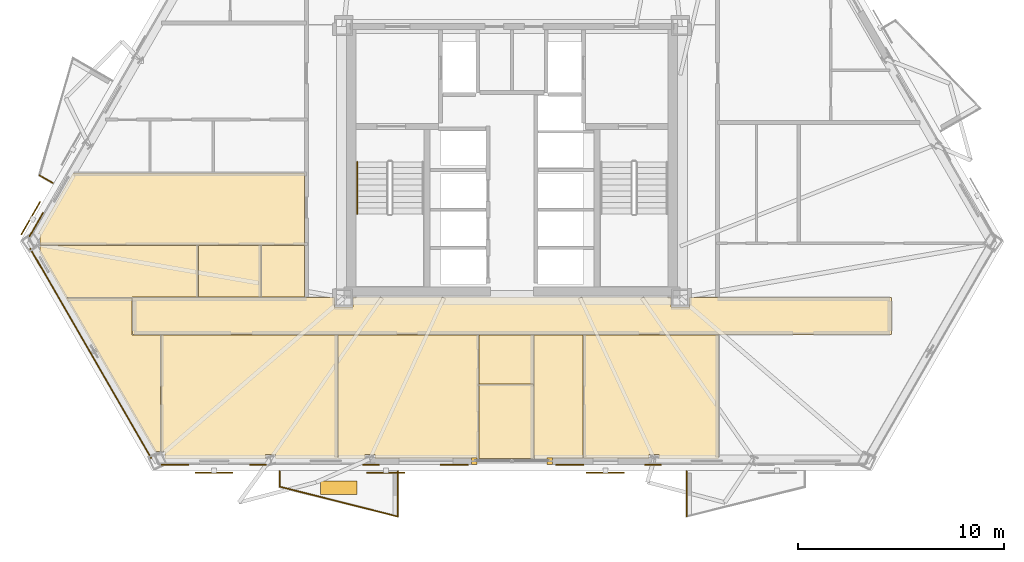
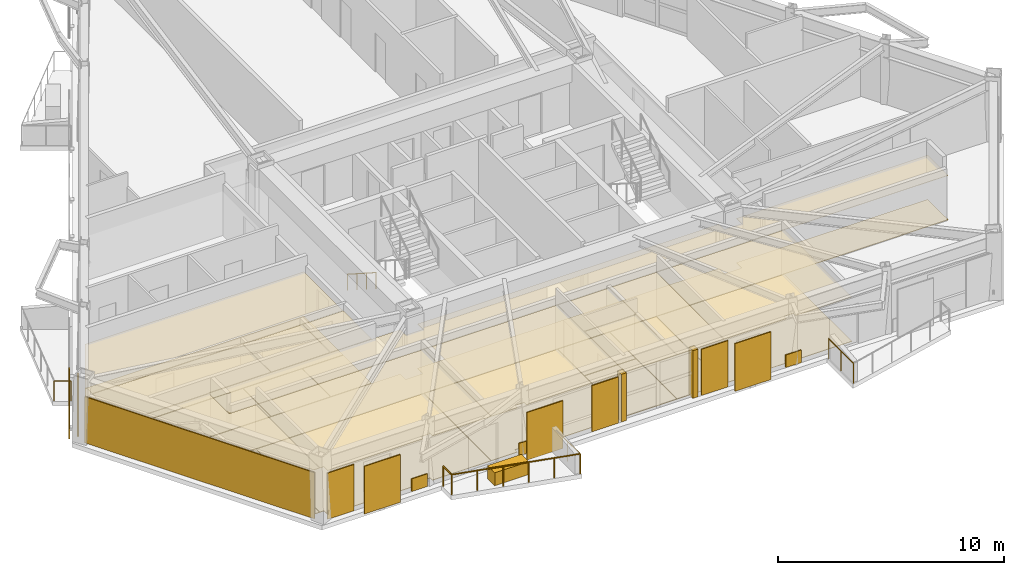
# One storey, part 12 of 15: 35 coverings, 6 railings, 4 shading devices.
"""IFC4 building model written with IfcOpenShell, lengths in metres."""

from ifc_helpers import new_model, si_unit, direction, frame, origin, origin_2d, place, context, subcontext, project, spatial, polyline, rectangle, circle, outline, extrude, material, layer, layer_set, type_object, element, save


model = new_model("IFC4")

# Units and contexts
model_context = context("Model", 3, precision=1e-05, world=origin(), true_north=direction((0.0, 1.0)))
body_context = subcontext(model_context, "Body", "Model", "MODEL_VIEW")
ifc_project = project(units=[si_unit("LENGTHUNIT", "METRE"), si_unit("AREAUNIT", "SQUARE_METRE"), si_unit("VOLUMEUNIT", "CUBIC_METRE"), si_unit("PLANEANGLEUNIT", "RADIAN"), si_unit("MASSUNIT", "GRAM", prefix="KILO")], contexts=[model_context])

# Site, building, storey
site_placement = place(None, origin())
site = spatial("IfcSite", under=ifc_project, at=site_placement, CompositionType="ELEMENT")
building_placement = place(site_placement, origin())
building = spatial("IfcBuilding", under=site, at=building_placement, Name="Oramaril Tower", CompositionType="ELEMENT")
storey_placement = place(building_placement, frame((0.0, 0.0, 93.300048828125)))
storey = spatial("IfcBuildingStorey", under=building, at=storey_placement, Name="L24", CompositionType="ELEMENT", Elevation=93.300048828125)

# Coverings
ifc_material_1 = material(Name="Mineral Fibre Acoustic Ceiling")
ifc_layer_1 = layer(ifc_material_1, 0.02001953125)
ifc_layer_set_1 = layer_set([ifc_layer_1], Name="CVT-CEIL")
covering_type_1 = type_object("IfcCoveringType", Name="CVT-CEIL", PredefinedType="CEILING", material=ifc_layer_set_1)
covering_1_placement = place(storey_placement, frame((0.0, 0.0, 2.39990234375)))
element("IfcCovering", 1, at=covering_1_placement, inside=storey, type_object=covering_type_1, Name="L24 Acoustic Suspended Ceiling 1", PredefinedType="CEILING", context=body_context, shape_type="SweptSolid", body=[
    extrude(outline(polyline([(28.905029296875, 10.554931640625), (29.794921875, 10.554931640625), (29.794921875, 11.030029296875), (45.205078125, 11.030029296875), (45.205078125, 10.554931640625), (46.094970703125, 10.554931640625), (46.094970703125, 11.030029296875), (55.8798828125, 11.030029296875), (55.8798828125, 9.219970703125), (19.1201171875, 9.219970703125), (19.1201171875, 11.030029296875), (28.905029296875, 11.030029296875), (28.905029296875, 10.554931640625)])), origin(), (0.0, 0.0, 1.0), 0.02001953125),
])
covering_2_placement = place(storey_placement, frame((0.0, 0.0, 2.39990234375)))
element("IfcCovering", 2, at=covering_2_placement, inside=storey, type_object=covering_type_1, Name="L24 Acoustic Suspended Ceiling 5", PredefinedType="CEILING", context=body_context, shape_type="SweptSolid", body=[
    extrude(outline(polyline([(26.0419921875, 3.421630859375), (25.568359375, 3.421630859375), (25.568359375, 3.218017578125), (20.69189453125, 3.218017578125), (20.69189453125, 3.568603515625), (20.487548828125, 3.568603515625), (20.487548828125, 9.199951171875), (29.0419921875, 9.199951171875), (29.0419921875, 3.218017578125), (26.0419921875, 3.218017578125), (26.0419921875, 3.421630859375)])), origin(), (0.0, 0.0, 1.0), 0.02001953125),
])
covering_3_placement = place(storey_placement, frame((0.0, 0.0, 2.39990234375)))
element("IfcCovering", 3, at=covering_3_placement, inside=storey, type_object=covering_type_1, Name="L24 Acoustic Suspended Ceiling 6", PredefinedType="CEILING", context=body_context, shape_type="SweptSolid", body=[
    extrude(outline(polyline([(20.181884765625, 3.568603515625), (15.89599609375, 10.991943359375), (19.10009765625, 10.991943359375), (19.10009765625, 9.219970703125), (19.10009765625, 9.218017578125), (19.100341796875, 9.216064453125), (19.100830078125, 9.214111328125), (19.1015625, 9.21240234375), (19.102294921875, 9.210693359375), (19.103515625, 9.208984375), (19.1044921875, 9.207275390625), (19.10595703125, 9.205810546875), (19.107421875, 9.20458984375), (19.10888671875, 9.203369140625), (19.110595703125, 9.202392578125), (19.1123046875, 9.201416015625), (19.1142578125, 9.200927734375), (19.1162109375, 9.200439453125), (19.117919921875, 9.2001953125), (19.1201171875, 9.199951171875), (20.467529296875, 9.199951171875), (20.467529296875, 3.568603515625), (20.181884765625, 3.568603515625)])), origin(), (0.0, 0.0, 1.0), 0.02001953125),
])
covering_4_placement = place(storey_placement, frame((0.0, 0.0, 2.39990234375)))
element("IfcCovering", 4, at=covering_4_placement, inside=storey, type_object=covering_type_1, Name="L24 Acoustic Suspended Ceiling 7", PredefinedType="CEILING", context=body_context, shape_type="SweptSolid", body=[
    extrude(outline(polyline([(35.882080078125, 3.218017578125), (30.851806640625, 3.218017578125), (30.851806640625, 3.421630859375), (30.3896484375, 3.421630859375), (30.3896484375, 3.218017578125), (29.06201171875, 3.218017578125), (29.06201171875, 9.199951171875), (35.882080078125, 9.199951171875), (35.882080078125, 3.218017578125)])), origin(), (0.0, 0.0, 1.0), 0.02001953125),
])
covering_5_placement = place(storey_placement, frame((0.0, 0.0, 2.39990234375)))
element("IfcCovering", 5, at=covering_5_placement, inside=storey, type_object=covering_type_1, Name="L24 Acoustic Suspended Ceiling 8", PredefinedType="CEILING", context=body_context, shape_type="SweptSolid", body=[
    extrude(outline(polyline([(38.5419921875, 6.822021484375), (38.5419921875, 3.218017578125), (35.902099609375, 3.218017578125), (35.902099609375, 6.822021484375), (38.5419921875, 6.822021484375)])), origin(), (0.0, 0.0, 1.0), 0.02001953125),
])
covering_6_placement = place(storey_placement, frame((0.0, 0.0, 2.39990234375)))
element("IfcCovering", 6, at=covering_6_placement, inside=storey, type_object=covering_type_1, Name="L24 Acoustic Suspended Ceiling 9", PredefinedType="CEILING", context=body_context, shape_type="SweptSolid", body=[
    extrude(outline(polyline([(38.5419921875, 6.842041015625), (35.902099609375, 6.842041015625), (35.902099609375, 9.199951171875), (38.5419921875, 9.199951171875), (38.5419921875, 6.842041015625)])), origin(), (0.0, 0.0, 1.0), 0.02001953125),
])
covering_7_placement = place(storey_placement, frame((0.0, 0.0, 2.39990234375)))
element("IfcCovering", 7, at=covering_7_placement, inside=storey, type_object=covering_type_1, Name="L24 Acoustic Suspended Ceiling 10", PredefinedType="CEILING", context=body_context, shape_type="SweptSolid", body=[
    extrude(outline(polyline([(44.6103515625, 3.421630859375), (44.148193359375, 3.421630859375), (44.148193359375, 3.218017578125), (40.964111328125, 3.218017578125), (40.964111328125, 9.199951171875), (47.491943359375, 9.199951171875), (47.491943359375, 3.218017578125), (44.6103515625, 3.218017578125), (44.6103515625, 3.421630859375)])), origin(), (0.0, 0.0, 1.0), 0.02001953125),
])
covering_8_placement = place(storey_placement, frame((0.0, 0.0, 2.39990234375)))
element("IfcCovering", 8, at=covering_8_placement, inside=storey, type_object=covering_type_1, Name="L24 Acoustic Suspended Ceiling 11", PredefinedType="CEILING", context=body_context, shape_type="SweptSolid", body=[
    extrude(outline(polyline([(38.56201171875, 3.218017578125), (38.56201171875, 6.822021484375), (38.56201171875, 6.823974609375), (38.5615234375, 6.825927734375), (38.56103515625, 6.827880859375), (38.560546875, 6.82958984375), (38.5595703125, 6.831298828125), (38.559326171875, 6.83203125), (38.5595703125, 6.83251953125), (38.560546875, 6.834228515625), (38.56103515625, 6.836181640625), (38.5615234375, 6.838134765625), (38.56201171875, 6.840087890625), (38.56201171875, 6.842041015625), (38.56201171875, 9.199951171875), (40.944091796875, 9.199951171875), (40.944091796875, 3.218017578125), (38.56201171875, 3.218017578125)])), origin(), (0.0, 0.0, 1.0), 0.02001953125),
])
covering_9_placement = place(storey_placement, frame((0.0, 0.0, 2.39990234375)))
element("IfcCovering", 9, at=covering_9_placement, inside=storey, type_object=covering_type_1, Name="L24 Acoustic Suspended Ceiling 12", PredefinedType="CEILING", context=body_context, shape_type="SweptSolid", body=[
    extrude(outline(polyline([(14.623779296875, 13.570068359375), (14.623779296875, 14.08837890625), (14.535400390625, 14.08837890625), (16.24072265625, 17.0419921875), (27.449951171875, 17.0419921875), (27.449951171875, 13.570068359375), (14.623779296875, 13.570068359375)])), origin(), (0.0, 0.0, 1.0), 0.02001953125),
])
covering_10_placement = place(storey_placement, frame((0.0, 0.0, 2.39990234375)))
element("IfcCovering", 10, at=covering_10_placement, inside=storey, type_object=covering_type_1, Name="L24 Acoustic Suspended Ceiling 13", PredefinedType="CEILING", context=body_context, shape_type="SweptSolid", body=[
    extrude(outline(polyline([(14.623779296875, 13.26904296875), (14.623779296875, 13.550048828125), (22.295166015625, 13.550048828125), (22.295166015625, 11.050048828125), (19.1201171875, 11.050048828125), (19.117919921875, 11.0498046875), (19.1162109375, 11.049560546875), (19.1142578125, 11.049072265625), (19.1123046875, 11.048583984375), (19.110595703125, 11.047607421875), (19.10888671875, 11.046630859375), (19.107421875, 11.04541015625), (19.10595703125, 11.044189453125), (19.1044921875, 11.042724609375), (19.103515625, 11.041015625), (19.102294921875, 11.039306640625), (19.1015625, 11.03759765625), (19.100830078125, 11.035888671875), (19.100341796875, 11.033935546875), (19.10009765625, 11.031982421875), (19.10009765625, 11.030029296875), (19.10009765625, 11.011962890625), (15.89599609375, 11.011962890625), (15.893798828125, 11.011962890625), (15.89208984375, 11.01171875), (15.889892578125, 11.010986328125), (15.88818359375, 11.010498046875), (15.886474609375, 11.009521484375), (15.885986328125, 11.00927734375), (14.581298828125, 13.26904296875), (14.623779296875, 13.26904296875)])), origin(), (0.0, 0.0, 1.0), 0.02001953125),
])
covering_11_placement = place(storey_placement, frame((0.0, 0.0, 2.39990234375)))
element("IfcCovering", 11, at=covering_11_placement, inside=storey, type_object=covering_type_1, Name="L24 Acoustic Suspended Ceiling 14", PredefinedType="CEILING", context=body_context, shape_type="SweptSolid", body=[
    extrude(outline(polyline([(25.34521484375, 11.050048828125), (22.315185546875, 11.050048828125), (22.315185546875, 13.550048828125), (25.34521484375, 13.550048828125), (25.34521484375, 11.050048828125)])), origin(), (0.0, 0.0, 1.0), 0.02001953125),
])
covering_12_placement = place(storey_placement, frame((0.0, 0.0, 2.39990234375)))
element("IfcCovering", 12, at=covering_12_placement, inside=storey, type_object=covering_type_1, Name="L24 Acoustic Suspended Ceiling 15", PredefinedType="CEILING", context=body_context, shape_type="SweptSolid", body=[
    extrude(outline(polyline([(25.364990234375, 13.550048828125), (27.449951171875, 13.550048828125), (27.449951171875, 11.050048828125), (25.364990234375, 11.050048828125), (25.364990234375, 13.550048828125)])), origin(), (0.0, 0.0, 1.0), 0.02001953125),
])
ifc_material_2 = material(Name="Warm Cream Limestone", Category="masonry")
ifc_layer_2 = layer(ifc_material_2, 0.050048828125)
ifc_layer_set_2 = layer_set([ifc_layer_2], Name="CVT-CLD")
covering_type_2 = type_object("IfcCoveringType", Name="CVT-CLD", PredefinedType="CLADDING", material=ifc_layer_set_2)
covering_13_placement = place(storey_placement, frame((17.09228515625, 8.317626953125, 0.0400390625), z_axis=(0.0, 0.0, 1.0), x_axis=(0.5, -0.866025403784, 0.0)))
element("IfcCovering", 13, at=covering_13_placement, inside=storey, type_object=covering_type_2, Name="L24 Warm Cream Limestone Cladding", PredefinedType="CLADDING", context=body_context, shape_type="SweptSolid", body=[
    extrude(rectangle(XDim=11.74951171875, YDim=0.050048828125, at=origin_2d()), origin(), (0.0, 0.0, 1.0), 2.498046875),
])
for number, where, z_axis, x_axis, name in (
    (14, (35.669921875, 3.110107421875, 0.0), (0.0, 0.0, 1.0), (1.0, 0.0, 0.0), "L24 Curtain Wall Limestone Jamb Closure"),
    (15, (39.330078125, 3.110107421875, 0.0), (0.0, 0.0, 1.0), (1.0, 0.0, 0.0), "L24 Curtain Wall Limestone Jamb Closure"),
):
    element("IfcCovering", number, at=place(storey_placement, frame(where, z_axis=z_axis, x_axis=x_axis)), inside=storey, type_object=covering_type_2, Name=name, PredefinedType="CLADDING", context=body_context, shape_type="SweptSolid", body=[
        extrude(rectangle(XDim=0.260009765625, YDim=0.340087890625, at=origin_2d()), origin(), (0.0, 0.0, 1.0), 2.577880859375),
    ])
for number, where, z_axis, x_axis, name in (
    (16, (21.171875, 2.9169921875, 0.0400390625), (0.0, 0.0, 1.0), (1.0, 0.0, 0.0), "L24 Warm Cream Limestone Cladding"),
    (17, (34.699951171875, 2.9169921875, 0.0400390625), (0.0, 0.0, 1.0), (1.0, 0.0, 0.0), "L24 Warm Cream Limestone Cladding"),
):
    element("IfcCovering", number, at=place(storey_placement, frame(where, z_axis=z_axis, x_axis=x_axis)), inside=storey, type_object=covering_type_2, Name=name, PredefinedType="CLADDING", context=body_context, shape_type="SweptSolid", body=[
        extrude(rectangle(XDim=1.35009765625, YDim=0.050048828125, at=origin_2d()), origin(), (0.0, 0.0, 1.0), 2.498046875),
    ])
for number, where, z_axis, x_axis, name in (
    (18, (25.19482421875, 2.9169921875, 0.0400390625), (0.0, 0.0, 1.0), (1.0, 0.0, 0.0), "L24 Warm Cream Limestone Spandrel Cladding"),
    (19, (30.677001953125, 2.9169921875, 0.0400390625), (0.0, 0.0, 1.0), (1.0, 0.0, 0.0), "L24 Warm Cream Limestone Spandrel Cladding"),
):
    element("IfcCovering", number, at=place(storey_placement, frame(where, z_axis=z_axis, x_axis=x_axis)), inside=storey, type_object=covering_type_2, Name=name, PredefinedType="CLADDING", context=body_context, shape_type="SweptSolid", body=[
        extrude(rectangle(XDim=0.800048828125, YDim=0.050048828125, at=origin_2d()), origin(), (0.0, 0.0, 1.0), 0.679931640625),
    ])
covering_14_placement = place(storey_placement, frame((40.300048828125, 2.9169921875, 0.0400390625), z_axis=(0.0, 0.0, 1.0), x_axis=(1.0, 0.0, 0.0)))
element("IfcCovering", 20, at=covering_14_placement, inside=storey, type_object=covering_type_2, Name="L24 Warm Cream Limestone Cladding", PredefinedType="CLADDING", context=body_context, shape_type="SweptSolid", body=[
    extrude(rectangle(XDim=1.35009765625, YDim=0.050048828125, at=origin_2d()), origin(), (0.0, 0.0, 1.0), 2.498046875),
])
covering_15_placement = place(storey_placement, frame((44.322998046875, 2.9169921875, 0.0400390625), z_axis=(0.0, 0.0, 1.0), x_axis=(1.0, 0.0, 0.0)))
element("IfcCovering", 21, at=covering_15_placement, inside=storey, type_object=covering_type_2, Name="L24 Warm Cream Limestone Spandrel Cladding", PredefinedType="CLADDING", context=body_context, shape_type="SweptSolid", body=[
    extrude(rectangle(XDim=0.800048828125, YDim=0.050048828125, at=origin_2d()), origin(), (0.0, 0.0, 1.0), 0.679931640625),
])
covering_16_placement = place(storey_placement, frame((14.455078125, 14.55078125, 0.0400390625), z_axis=(0.0, 0.0, 1.0), x_axis=(-0.5, -0.866025403784, 0.0)))
element("IfcCovering", 22, at=covering_16_placement, inside=storey, type_object=covering_type_2, Name="L24 Warm Cream Limestone Cladding", PredefinedType="CLADDING", context=body_context, shape_type="SweptSolid", body=[
    extrude(rectangle(XDim=1.35009765625, YDim=0.050048828125, at=origin_2d()), origin(), (0.0, 0.0, 1.0), 2.498046875),
])
covering_17_placement = place(storey_placement, frame((29.106201171875, 1.8134765625, 0.0), z_axis=(0.0, 0.0, 1.0), x_axis=(1.0, 0.0, 0.0)))
element("IfcCovering", 23, at=covering_17_placement, inside=storey, type_object=covering_type_2, Name="L24 Structural Tree Planter Box L24-BAL-S1", PredefinedType="CLADDING", context=body_context, shape_type="SweptSolid", body=[
    extrude(rectangle(XDim=1.75, YDim=0.64990234375, at=origin_2d()), origin(), (0.0, 0.0, 1.0), 0.699951171875),
])
ifc_material_3 = material(Name="Honed Quartzite Stone Flooring", Category="masonry")
ifc_layer_3 = layer(ifc_material_3, 0.02490234375)
ifc_layer_set_3 = layer_set([ifc_layer_3], Name="CVT-FLR")
covering_type_3 = type_object("IfcCoveringType", Name="CVT-FLR", PredefinedType="FLOORING", material=ifc_layer_set_3)
covering_18_placement = place(storey_placement, origin())
element("IfcCovering", 24, at=covering_18_placement, inside=storey, type_object=covering_type_3, Name="L24 Honed Stone Floor Finish 1", PredefinedType="FLOORING", context=body_context, shape_type="SweptSolid", body=[
    extrude(outline(polyline([(28.905029296875, 10.554931640625), (29.794921875, 10.554931640625), (29.794921875, 11.030029296875), (45.205078125, 11.030029296875), (45.205078125, 10.554931640625), (46.094970703125, 10.554931640625), (46.094970703125, 11.030029296875), (55.8798828125, 11.030029296875), (55.8798828125, 9.219970703125), (19.1201171875, 9.219970703125), (19.1201171875, 11.030029296875), (28.905029296875, 11.030029296875), (28.905029296875, 10.554931640625)])), origin(), (0.0, 0.0, 1.0), 0.02490234375),
])
covering_19_placement = place(storey_placement, origin())
element("IfcCovering", 25, at=covering_19_placement, inside=storey, type_object=covering_type_3, Name="L24 Honed Stone Floor Finish 5", PredefinedType="FLOORING", context=body_context, shape_type="SweptSolid", body=[
    extrude(outline(polyline([(26.0419921875, 3.421630859375), (25.568359375, 3.421630859375), (25.568359375, 3.218017578125), (20.69189453125, 3.218017578125), (20.69189453125, 3.568603515625), (20.487548828125, 3.568603515625), (20.487548828125, 9.199951171875), (29.0419921875, 9.199951171875), (29.0419921875, 3.218017578125), (26.0419921875, 3.218017578125), (26.0419921875, 3.421630859375)])), origin(), (0.0, 0.0, 1.0), 0.02490234375),
])
covering_20_placement = place(storey_placement, origin())
element("IfcCovering", 26, at=covering_20_placement, inside=storey, type_object=covering_type_3, Name="L24 Honed Stone Floor Finish 6", PredefinedType="FLOORING", context=body_context, shape_type="SweptSolid", body=[
    extrude(outline(polyline([(20.181884765625, 3.568603515625), (15.89599609375, 10.991943359375), (19.10009765625, 10.991943359375), (19.10009765625, 9.219970703125), (19.10009765625, 9.218017578125), (19.100341796875, 9.216064453125), (19.100830078125, 9.214111328125), (19.1015625, 9.21240234375), (19.102294921875, 9.210693359375), (19.103515625, 9.208984375), (19.1044921875, 9.207275390625), (19.10595703125, 9.205810546875), (19.107421875, 9.20458984375), (19.10888671875, 9.203369140625), (19.110595703125, 9.202392578125), (19.1123046875, 9.201416015625), (19.1142578125, 9.200927734375), (19.1162109375, 9.200439453125), (19.117919921875, 9.2001953125), (19.1201171875, 9.199951171875), (20.467529296875, 9.199951171875), (20.467529296875, 3.568603515625), (20.181884765625, 3.568603515625)])), origin(), (0.0, 0.0, 1.0), 0.02490234375),
])
covering_21_placement = place(storey_placement, origin())
element("IfcCovering", 27, at=covering_21_placement, inside=storey, type_object=covering_type_3, Name="L24 Honed Stone Floor Finish 7", PredefinedType="FLOORING", context=body_context, shape_type="SweptSolid", body=[
    extrude(outline(polyline([(35.882080078125, 3.218017578125), (30.851806640625, 3.218017578125), (30.851806640625, 3.421630859375), (30.3896484375, 3.421630859375), (30.3896484375, 3.218017578125), (29.06201171875, 3.218017578125), (29.06201171875, 9.199951171875), (35.882080078125, 9.199951171875), (35.882080078125, 3.218017578125)])), origin(), (0.0, 0.0, 1.0), 0.02490234375),
])
covering_22_placement = place(storey_placement, origin())
element("IfcCovering", 28, at=covering_22_placement, inside=storey, type_object=covering_type_3, Name="L24 Honed Stone Floor Finish 8", PredefinedType="FLOORING", context=body_context, shape_type="SweptSolid", body=[
    extrude(outline(polyline([(38.5419921875, 6.822021484375), (38.5419921875, 3.218017578125), (35.902099609375, 3.218017578125), (35.902099609375, 6.822021484375), (38.5419921875, 6.822021484375)])), origin(), (0.0, 0.0, 1.0), 0.02490234375),
])
covering_23_placement = place(storey_placement, origin())
element("IfcCovering", 29, at=covering_23_placement, inside=storey, type_object=covering_type_3, Name="L24 Honed Stone Floor Finish 9", PredefinedType="FLOORING", context=body_context, shape_type="SweptSolid", body=[
    extrude(outline(polyline([(38.5419921875, 6.842041015625), (35.902099609375, 6.842041015625), (35.902099609375, 9.199951171875), (38.5419921875, 9.199951171875), (38.5419921875, 6.842041015625)])), origin(), (0.0, 0.0, 1.0), 0.02490234375),
])
covering_24_placement = place(storey_placement, origin())
element("IfcCovering", 30, at=covering_24_placement, inside=storey, type_object=covering_type_3, Name="L24 Honed Stone Floor Finish 10", PredefinedType="FLOORING", context=body_context, shape_type="SweptSolid", body=[
    extrude(outline(polyline([(44.6103515625, 3.421630859375), (44.148193359375, 3.421630859375), (44.148193359375, 3.218017578125), (40.964111328125, 3.218017578125), (40.964111328125, 9.199951171875), (47.491943359375, 9.199951171875), (47.491943359375, 3.218017578125), (44.6103515625, 3.218017578125), (44.6103515625, 3.421630859375)])), origin(), (0.0, 0.0, 1.0), 0.02490234375),
])
covering_25_placement = place(storey_placement, origin())
element("IfcCovering", 31, at=covering_25_placement, inside=storey, type_object=covering_type_3, Name="L24 Honed Stone Floor Finish 11", PredefinedType="FLOORING", context=body_context, shape_type="SweptSolid", body=[
    extrude(outline(polyline([(38.56201171875, 3.218017578125), (38.56201171875, 6.822021484375), (38.56201171875, 6.823974609375), (38.5615234375, 6.825927734375), (38.56103515625, 6.827880859375), (38.560546875, 6.82958984375), (38.5595703125, 6.831298828125), (38.559326171875, 6.83203125), (38.5595703125, 6.83251953125), (38.560546875, 6.834228515625), (38.56103515625, 6.836181640625), (38.5615234375, 6.838134765625), (38.56201171875, 6.840087890625), (38.56201171875, 6.842041015625), (38.56201171875, 9.199951171875), (40.944091796875, 9.199951171875), (40.944091796875, 3.218017578125), (38.56201171875, 3.218017578125)])), origin(), (0.0, 0.0, 1.0), 0.02490234375),
])
covering_26_placement = place(storey_placement, origin())
element("IfcCovering", 32, at=covering_26_placement, inside=storey, type_object=covering_type_3, Name="L24 Honed Stone Floor Finish 12", PredefinedType="FLOORING", context=body_context, shape_type="SweptSolid", body=[
    extrude(outline(polyline([(14.623779296875, 13.570068359375), (14.623779296875, 14.08837890625), (14.535400390625, 14.08837890625), (16.24072265625, 17.0419921875), (27.449951171875, 17.0419921875), (27.449951171875, 13.570068359375), (14.623779296875, 13.570068359375)])), origin(), (0.0, 0.0, 1.0), 0.02490234375),
])
covering_27_placement = place(storey_placement, origin())
element("IfcCovering", 33, at=covering_27_placement, inside=storey, type_object=covering_type_3, Name="L24 Honed Stone Floor Finish 13", PredefinedType="FLOORING", context=body_context, shape_type="SweptSolid", body=[
    extrude(outline(polyline([(14.623779296875, 13.26904296875), (14.623779296875, 13.550048828125), (22.295166015625, 13.550048828125), (22.295166015625, 11.050048828125), (19.1201171875, 11.050048828125), (19.117919921875, 11.0498046875), (19.1162109375, 11.049560546875), (19.1142578125, 11.049072265625), (19.1123046875, 11.048583984375), (19.110595703125, 11.047607421875), (19.10888671875, 11.046630859375), (19.107421875, 11.04541015625), (19.10595703125, 11.044189453125), (19.1044921875, 11.042724609375), (19.103515625, 11.041015625), (19.102294921875, 11.039306640625), (19.1015625, 11.03759765625), (19.100830078125, 11.035888671875), (19.100341796875, 11.033935546875), (19.10009765625, 11.031982421875), (19.10009765625, 11.030029296875), (19.10009765625, 11.011962890625), (15.89599609375, 11.011962890625), (15.893798828125, 11.011962890625), (15.89208984375, 11.01171875), (15.889892578125, 11.010986328125), (15.88818359375, 11.010498046875), (15.886474609375, 11.009521484375), (15.885986328125, 11.00927734375), (14.581298828125, 13.26904296875), (14.623779296875, 13.26904296875)])), origin(), (0.0, 0.0, 1.0), 0.02490234375),
])
covering_28_placement = place(storey_placement, origin())
element("IfcCovering", 34, at=covering_28_placement, inside=storey, type_object=covering_type_3, Name="L24 Honed Stone Floor Finish 14", PredefinedType="FLOORING", context=body_context, shape_type="SweptSolid", body=[
    extrude(outline(polyline([(25.34521484375, 11.050048828125), (22.315185546875, 11.050048828125), (22.315185546875, 13.550048828125), (25.34521484375, 13.550048828125), (25.34521484375, 11.050048828125)])), origin(), (0.0, 0.0, 1.0), 0.02490234375),
])
covering_29_placement = place(storey_placement, origin())
element("IfcCovering", 35, at=covering_29_placement, inside=storey, type_object=covering_type_3, Name="L24 Honed Stone Floor Finish 15", PredefinedType="FLOORING", context=body_context, shape_type="SweptSolid", body=[
    extrude(outline(polyline([(25.364990234375, 13.550048828125), (27.449951171875, 13.550048828125), (27.449951171875, 11.050048828125), (25.364990234375, 11.050048828125), (25.364990234375, 13.550048828125)])), origin(), (0.0, 0.0, 1.0), 0.02490234375),
])

# Railings
ifc_material_4 = material(Name="Stainless Steel 316L", Category="steel")
railing_type_1 = type_object("IfcRailingType", Name="RLT-GRD", PredefinedType="GUARDRAIL", material=ifc_material_4)
railing_1_placement = place(storey_placement, frame((31.97119140625, 2.60205078125, 0.0)))
element("IfcRailing", 36, at=railing_1_placement, inside=storey, type_object=railing_type_1, Name="L24 Balcony Guardrail L24-BAL-S1.1", PredefinedType="GUARDRAIL", context=body_context, shape_type="SweptSolid", body=[
    extrude(circle(Radius=0.02392578125, at=origin_2d()), frame((0.0, 0.0, 1.076171875), z_axis=(0.0, -1.0, 0.0), x_axis=(1.0, 0.0, 0.0)), (0.0, 0.0, 1.0), 2.192138671875),
    extrude(circle(Radius=0.02099609375, at=origin_2d()), origin(), (0.0, 0.0, 1.0), 1.052001953125),
    extrude(circle(Radius=0.02099609375, at=origin_2d()), frame((0.0, -1.09619140625, 0.0)), (0.0, 0.0, 1.0), 1.052001953125),
    extrude(circle(Radius=0.02099609375, at=origin_2d()), frame((0.0, -2.192138671875, 0.0)), (0.0, 0.0, 1.0), 1.052001953125),
])
railing_2_placement = place(storey_placement, frame((31.97119140625, 0.409912109375, 0.0)))
element("IfcRailing", 37, at=railing_2_placement, inside=storey, type_object=railing_type_1, Name="L24 Balcony Guardrail L24-BAL-S1.2", PredefinedType="GUARDRAIL", context=body_context, shape_type="SweptSolid", body=[
    extrude(circle(Radius=0.02392578125, at=origin_2d()), frame((0.0, 0.0, 1.076171875), z_axis=(-0.969433787338, 0.245353076131, 0.0), x_axis=(-0.245353076131, -0.969433787338, 0.0)), (0.0, 0.0, 1.0), 5.91064453125),
    extrude(circle(Radius=0.02099609375, at=origin_2d()), origin(), (0.0, 0.0, 1.0), 1.052001953125),
    extrude(circle(Radius=0.02099609375, at=origin_2d()), frame((-1.14599609375, 0.2900390625, 0.0)), (0.0, 0.0, 1.0), 1.052001953125),
    extrude(circle(Radius=0.02099609375, at=origin_2d()), frame((-2.2919921875, 0.580078125, 0.0)), (0.0, 0.0, 1.0), 1.052001953125),
    extrude(circle(Radius=0.02099609375, at=origin_2d()), frame((-3.43798828125, 0.8701171875, 0.0)), (0.0, 0.0, 1.0), 1.052001953125),
    extrude(circle(Radius=0.02099609375, at=origin_2d()), frame((-4.583984375, 1.16015625, 0.0)), (0.0, 0.0, 1.0), 1.052001953125),
    extrude(circle(Radius=0.02099609375, at=origin_2d()), frame((-5.72998046875, 1.4501953125, 0.0)), (0.0, 0.0, 1.0), 1.052001953125),
])
railing_3_placement = place(storey_placement, frame((26.2412109375, 1.860107421875, 0.0)))
element("IfcRailing", 38, at=railing_3_placement, inside=storey, type_object=railing_type_1, Name="L24 Balcony Guardrail L24-BAL-S1.3", PredefinedType="GUARDRAIL", context=body_context, shape_type="SweptSolid", body=[
    extrude(circle(Radius=0.02392578125, at=origin_2d()), frame((0.0, 0.0, 1.076171875), z_axis=(0.0, 1.0, 0.0), x_axis=(-1.0, 0.0, 0.0)), (0.0, 0.0, 1.0), 0.741943359375),
    extrude(circle(Radius=0.02099609375, at=origin_2d()), origin(), (0.0, 0.0, 1.0), 1.052001953125),
    extrude(circle(Radius=0.02099609375, at=origin_2d()), frame((0.0, 0.741943359375, 0.0)), (0.0, 0.0, 1.0), 1.052001953125),
])
railing_4_placement = place(storey_placement, frame((45.95361328125, 0.409912109375, 0.0)))
element("IfcRailing", 39, at=railing_4_placement, inside=storey, type_object=railing_type_1, Name="L24 Balcony Guardrail L24-BAL-S2.3", PredefinedType="GUARDRAIL", context=body_context, shape_type="SweptSolid", body=[
    extrude(circle(Radius=0.02392578125, at=origin_2d()), frame((0.0, 0.0, 1.076171875), z_axis=(0.0, 1.0, 0.0), x_axis=(-1.0, 0.0, 0.0)), (0.0, 0.0, 1.0), 2.192138671875),
    extrude(circle(Radius=0.02099609375, at=origin_2d()), origin(), (0.0, 0.0, 1.0), 1.052001953125),
    extrude(circle(Radius=0.02099609375, at=origin_2d()), frame((0.0, 1.09619140625, 0.0)), (0.0, 0.0, 1.0), 1.052001953125),
    extrude(circle(Radius=0.02099609375, at=origin_2d()), frame((0.0, 2.192138671875, 0.0)), (0.0, 0.0, 1.0), 1.052001953125),
])
railing_5_placement = place(storey_placement, frame((15.25439453125, 16.565673828125, 0.0)))
element("IfcRailing", 40, at=railing_5_placement, inside=storey, type_object=railing_type_1, Name="L24 Balcony Guardrail L24-BAL-NW2.1", PredefinedType="GUARDRAIL", context=body_context, shape_type="SweptSolid", body=[
    extrude(circle(Radius=0.02392578125, at=origin_2d()), frame((0.0, 0.0, 1.076171875), z_axis=(-0.866108878364, 0.499855389907, 0.0), x_axis=(-0.499855389907, -0.866108878364, 0.0)), (0.0, 0.0, 1.0), 0.741943359375),
    extrude(circle(Radius=0.02099609375, at=origin_2d()), origin(), (0.0, 0.0, 1.0), 1.052001953125),
    extrude(circle(Radius=0.02099609375, at=origin_2d()), frame((-0.642578125, 0.370849609375, 0.0)), (0.0, 0.0, 1.0), 1.052001953125),
])
ifc_material_5 = material(Name="Stainless Steel 316L", Category="steel")
railing_type_2 = type_object("IfcRailingType", Name="RLT-HND", PredefinedType="HANDRAIL", material=ifc_material_5)
railing_6_placement = place(storey_placement, frame((30.0, 17.590087890625, 0.179931640625)))
element("IfcRailing", 41, at=railing_6_placement, inside=storey, type_object=railing_type_2, Name="L24 ST-1 stair handrail 1", PredefinedType="HANDRAIL", context=body_context, shape_type="SweptSolid", body=[
    extrude(circle(Radius=0.02392578125, at=origin_2d()), frame((0.0, 0.0, 0.8759765625), z_axis=(0.0, -0.841162588446, 0.540782303519), x_axis=(1.0, 0.0, 0.0)), (0.0, 0.0, 1.0), 2.995849609375),
    extrude(circle(Radius=0.02099609375, at=origin_2d()), origin(), (0.0, 0.0, 1.0), 0.851806640625),
    extrude(circle(Radius=0.02099609375, at=origin_2d()), frame((0.0, -0.840087890625, 0.5400390625)), (0.0, 0.0, 1.0), 0.851806640625),
    extrude(circle(Radius=0.02099609375, at=origin_2d()), frame((0.0, -1.679931640625, 1.080078125)), (0.0, 0.0, 1.0), 0.851806640625),
    extrude(circle(Radius=0.02099609375, at=origin_2d()), frame((0.0, -2.52001953125, 1.6201171875)), (0.0, 0.0, 1.0), 0.851806640625),
])

# Shading devices
for number, where, z_axis, x_axis, name in (
    (42, (23.06689453125, 2.530029296875, -0.02001953125), (0.0, 0.0, 1.0), (1.0, 0.0, 0.0), "L24 Perforated Ceramic Solar Screen"),
    (43, (31.386962890625, 2.530029296875, -0.02001953125), (0.0, 0.0, 1.0), (1.0, 0.0, 0.0), "L24 Perforated Ceramic Solar Screen"),
    (44, (42.025390625, 2.530029296875, -0.02001953125), (0.0, 0.0, 1.0), (1.0, 0.0, 0.0), "L24 Perforated Ceramic Solar Screen"),
    (45, (14.190185546875, 14.866455078125, -0.02001953125), (0.0, 0.0, 1.0), (-0.5, -0.866025403784, 0.0), "L24 Perforated Ceramic Solar Screen"),
):
    element("IfcShadingDevice", number, at=place(storey_placement, frame(where, z_axis=z_axis, x_axis=x_axis)), inside=storey, Name=name, ObjectType="SCREEN", PredefinedType="USERDEFINED", context=body_context, shape_type="SweptSolid", body=[
        extrude(rectangle(XDim=1.8330078125, YDim=0.050048828125, at=origin_2d()), origin(), (0.0, 0.0, 1.0), 2.577880859375),
    ])

save(model, "model.ifc")
